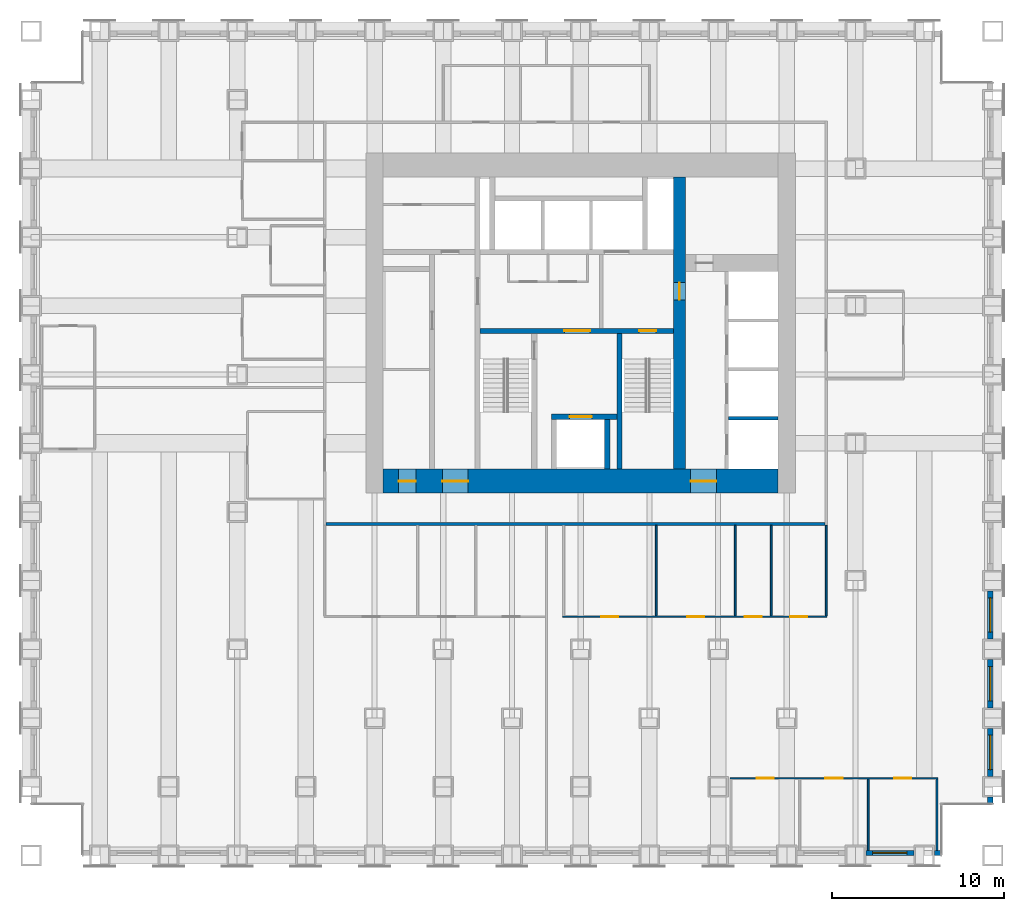
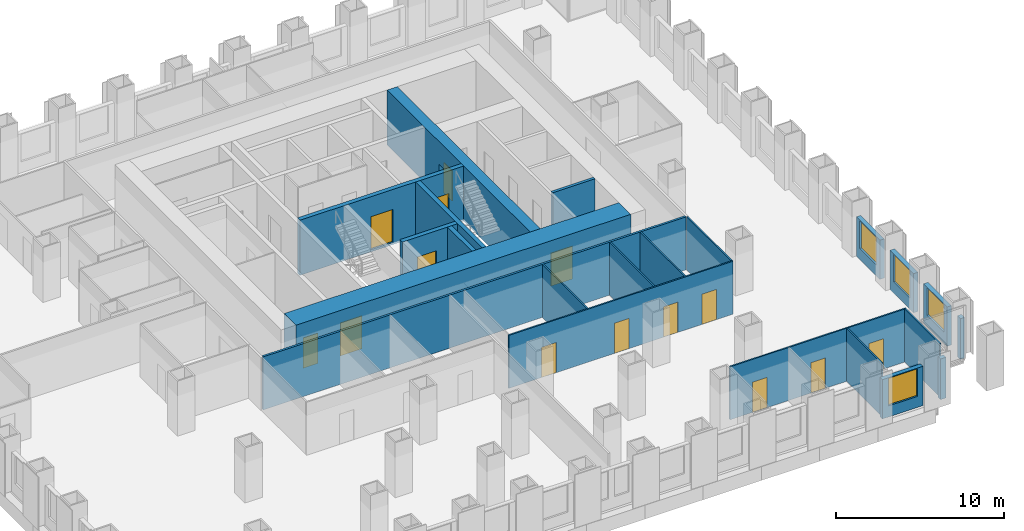
# One storey, part 10 of 15: 22 walls, 14 doors, 4 windows, 18 openings.
"""IFC4 building model written with IfcOpenShell, lengths in metres."""

from ifc_helpers import new_model, si_unit, direction, frame, frame_2d, origin, place, context, subcontext, project, spatial, rectangle, extrude, material, layer, layer_set, type_object, element, fill, save


model = new_model("IFC4")

# Units and contexts
model_context = context("Model", 3, precision=1e-05, world=origin(), true_north=direction((0.0, 1.0)))
body_context = subcontext(model_context, "Body", "Model", "MODEL_VIEW")
ifc_project = project(units=[si_unit("LENGTHUNIT", "METRE"), si_unit("AREAUNIT", "SQUARE_METRE"), si_unit("VOLUMEUNIT", "CUBIC_METRE"), si_unit("PLANEANGLEUNIT", "RADIAN"), si_unit("MASSUNIT", "GRAM", prefix="KILO")], contexts=[model_context])

# Site, building, storey
site_placement = place(None, origin())
site = spatial("IfcSite", under=ifc_project, at=site_placement, CompositionType="ELEMENT")
building_placement = place(site_placement, origin())
building = spatial("IfcBuilding", under=site, at=building_placement, Name="Rimbunsela Tower", CompositionType="ELEMENT")
storey_placement = place(building_placement, frame((0.0, 0.0, 35.0)))
storey = spatial("IfcBuildingStorey", under=building, at=storey_placement, Name="L08", CompositionType="ELEMENT", Elevation=35.0)

# Wall, openings, doors
ifc_material_1 = material(Name="Concrete fc' 80 MPa", Category="concrete")
ifc_layer_1 = layer(ifc_material_1, 0.300048828125)
ifc_layer_set_1 = layer_set([ifc_layer_1], Name="Core internal wall 300")
wall_type_1 = type_object("IfcWallType", Name="Core internal wall 300", PredefinedType="SHEAR", material=ifc_layer_set_1)
wall_1_placement = place(storey_placement, frame((24.14990234375, 26.550048828125, -0.14990234375), z_axis=(0.0, 0.0, 1.0), x_axis=(1.0, 0.0, 0.0)))
wall_1 = element("IfcWall", 1, at=wall_1_placement, inside=storey, type_object=wall_type_1, Name="Core wall lobby south", PredefinedType="SHEAR", context=body_context, shape_type="SweptSolid", body=[
    extrude(rectangle(XDim=11.25, YDim=0.300048828125, at=frame_2d((5.625, 0.0))), origin(), (0.0, 0.0, 1.0), 4.0),
])
opening_1_placement = place(wall_1_placement, frame((9.25, 0.0, 0.14990234375)))
opening_1 = element("IfcOpeningElement", 2, at=opening_1_placement, cuts=wall_1, Name="Opening D01", PredefinedType="OPENING", context=body_context, shape_type="SweptSolid", body=[
    extrude(rectangle(XDim=1.0, YDim=2.199951171875, at=frame_2d((0.5, 1.10009765625))), frame((0.0, 0.159912109375, 0.0), z_axis=(0.0, -1.0, 0.0), x_axis=(1.0, 0.0, 0.0)), (0.0, 0.0, 1.0), 0.320068359375),
])
opening_2_placement = place(wall_1_placement, frame((4.89990234375, 0.0, 0.14990234375)))
opening_2 = element("IfcOpeningElement", 3, at=opening_2_placement, cuts=wall_1, Name="Opening D03", PredefinedType="OPENING", context=body_context, shape_type="SweptSolid", body=[
    extrude(rectangle(XDim=1.5, YDim=2.39990234375, at=frame_2d((0.75, 1.199951171875))), frame((0.0, 0.159912109375, 0.0), z_axis=(0.0, -1.0, 0.0), x_axis=(1.0, 0.0, 0.0)), (0.0, 0.0, 1.0), 0.320068359375),
])
ifc_material_2 = material(Name="Steel door, fire rated", Category="steel")
door_type_1 = type_object("IfcDoorType", Name="Core lobby door 1500", OperationType="DOUBLE_DOOR_DOUBLE_SWING", PredefinedType="DOOR", material=ifc_material_2)
door_1_placement = place(opening_2_placement, origin())
door_1 = element("IfcDoor", 4, at=door_1_placement, inside=storey, type_object=door_type_1, Name="Firefighting lobby door", OperationType="DOUBLE_DOOR_DOUBLE_SWING", OverallHeight=2.39990234375, OverallWidth=1.5, PredefinedType="DOOR", context=body_context, shape_type="SweptSolid", body=[
    extrude(rectangle(XDim=1.5, YDim=2.39990234375, at=frame_2d((0.75, 1.199951171875))), frame((0.0, 0.02490234375, 0.0), z_axis=(0.0, -1.0, 0.0), x_axis=(1.0, 0.0, 0.0)), (0.0, 0.0, 1.0), 0.050048828125),
])
fill(opening_2, door_1)
ifc_material_3 = material(Name="Steel door, fire rated", Category="steel")
door_type_2 = type_object("IfcDoorType", Name="Stair door 1000", OperationType="SINGLE_SWING_RIGHT", PredefinedType="DOOR", material=ifc_material_3)
door_2_placement = place(opening_1_placement, frame((1.0, 0.0, 0.0), z_axis=(0.0, 0.0, 1.0), x_axis=(-1.0, 0.0, 0.0)))
door_2 = element("IfcDoor", 5, at=door_2_placement, inside=storey, type_object=door_type_2, Name="Stair B door", OperationType="SINGLE_SWING_RIGHT", OverallHeight=2.199951171875, OverallWidth=1.0, PredefinedType="DOOR", context=body_context, shape_type="SweptSolid", body=[
    extrude(rectangle(XDim=1.0, YDim=2.199951171875, at=frame_2d((0.5, 1.10009765625))), frame((0.0, 0.02490234375, 0.0), z_axis=(0.0, -1.0, 0.0), x_axis=(1.0, 0.0, 0.0)), (0.0, 0.0, 1.0), 0.050048828125),
])
fill(opening_1, door_2)

# Walls
wall_2_placement = place(storey_placement, frame((32.25, 18.5, -0.14990234375), z_axis=(0.0, 0.0, 1.0), x_axis=(0.0, 1.0, 0.0)))
element("IfcWall", 6, at=wall_2_placement, inside=storey, type_object=wall_type_1, Name="Stair B enclosure", PredefinedType="SHEAR", context=body_context, shape_type="SweptSolid", body=[
    extrude(rectangle(XDim=7.89990234375, YDim=0.300048828125, at=frame_2d((3.949951171875, 0.0))), origin(), (0.0, 0.0, 1.0), 4.0),
])
wall_3_placement = place(storey_placement, frame((31.550048828125, 18.5, -0.14990234375), z_axis=(0.0, 0.0, 1.0), x_axis=(0.0, 1.0, 0.0)))
element("IfcWall", 7, at=wall_3_placement, inside=storey, type_object=wall_type_1, Name="Firefighting lift shaft east", PredefinedType="SHEAR", context=body_context, shape_type="SweptSolid", body=[
    extrude(rectangle(XDim=2.89990234375, YDim=0.300048828125, at=frame_2d((1.449951171875, 0.0))), origin(), (0.0, 0.0, 1.0), 4.0),
])

# Wall, opening, door
wall_4_placement = place(storey_placement, frame((28.300048828125, 21.550048828125, -0.14990234375), z_axis=(0.0, 0.0, 1.0), x_axis=(1.0, 0.0, 0.0)))
wall_4 = element("IfcWall", 8, at=wall_4_placement, inside=storey, type_object=wall_type_1, Name="Firefighting lift shaft front", PredefinedType="SHEAR", context=body_context, shape_type="SweptSolid", body=[
    extrude(rectangle(XDim=3.800048828125, YDim=0.300048828125, at=frame_2d((1.89990234375, 0.0))), origin(), (0.0, 0.0, 1.0), 4.0),
])
opening_3_placement = place(wall_4_placement, frame((1.050048828125, 0.0, 0.14990234375)))
opening_3 = element("IfcOpeningElement", 9, at=opening_3_placement, cuts=wall_4, Name="Opening LD2", PredefinedType="OPENING", context=body_context, shape_type="SweptSolid", body=[
    extrude(rectangle(XDim=1.300048828125, YDim=2.39990234375, at=frame_2d((0.64990234375, 1.199951171875))), frame((0.0, 0.159912109375, 0.0), z_axis=(0.0, -1.0, 0.0), x_axis=(1.0, 0.0, 0.0)), (0.0, 0.0, 1.0), 0.320068359375),
])
ifc_material_4 = material(Name="Steel door, fire rated", Category="steel")
door_type_3 = type_object("IfcDoorType", Name="Lift landing door 1300", OperationType="DOUBLE_DOOR_SLIDING", PredefinedType="DOOR", material=ifc_material_4)
door_3_placement = place(opening_3_placement, origin())
door_3 = element("IfcDoor", 10, at=door_3_placement, inside=storey, type_object=door_type_3, Name="Lift landing door FL1", OperationType="DOUBLE_DOOR_SLIDING", OverallHeight=2.39990234375, OverallWidth=1.300048828125, PredefinedType="DOOR", context=body_context, shape_type="SweptSolid", body=[
    extrude(rectangle(XDim=1.300048828125, YDim=2.39990234375, at=frame_2d((0.64990234375, 1.199951171875))), frame((0.0, 0.02490234375, 0.0), z_axis=(0.0, -1.0, 0.0), x_axis=(1.0, 0.0, 0.0)), (0.0, 0.0, 1.0), 0.050048828125),
])
fill(opening_3, door_3)

# Wall, openings, doors
ifc_material_5 = material(Name="Concrete fc' 80 MPa", Category="concrete")
ifc_layer_2 = layer(ifc_material_5, 1.39990234375)
ifc_layer_set_2 = layer_set([ifc_layer_2], Name="Core wall 1400")
wall_type_2 = type_object("IfcWallType", Name="Core wall 1400", PredefinedType="SHEAR", material=ifc_layer_set_2)
wall_5_placement = place(storey_placement, frame((18.5, 17.800048828125, -0.14990234375), z_axis=(0.0, 0.0, 1.0), x_axis=(1.0, 0.0, 0.0)))
wall_5 = element("IfcWall", 11, at=wall_5_placement, inside=storey, type_object=wall_type_2, Name="Core wall south", PredefinedType="SHEAR", context=body_context, shape_type="SweptSolid", body=[
    extrude(rectangle(XDim=23.0, YDim=1.39990234375, at=frame_2d((11.5, 0.0))), origin(), (0.0, 0.0, 1.0), 4.0),
])
opening_4_placement = place(wall_5_placement, frame((3.449951171875, 0.0, 0.14990234375)))
opening_4 = element("IfcOpeningElement", 12, at=opening_4_placement, cuts=wall_5, Name="Opening D03", PredefinedType="OPENING", context=body_context, shape_type="SweptSolid", body=[
    extrude(rectangle(XDim=1.5, YDim=2.39990234375, at=frame_2d((0.75, 1.199951171875))), frame((0.0, 0.7099609375, 0.0), z_axis=(0.0, -1.0, 0.0), x_axis=(1.0, 0.0, 0.0)), (0.0, 0.0, 1.0), 1.419921875),
])
opening_5_placement = place(wall_5_placement, frame((17.89990234375, 0.0, 0.14990234375)))
opening_5 = element("IfcOpeningElement", 13, at=opening_5_placement, cuts=wall_5, Name="Opening D03", PredefinedType="OPENING", context=body_context, shape_type="SweptSolid", body=[
    extrude(rectangle(XDim=1.5, YDim=2.39990234375, at=frame_2d((0.75, 1.199951171875))), frame((0.0, 0.7099609375, 0.0), z_axis=(0.0, -1.0, 0.0), x_axis=(1.0, 0.0, 0.0)), (0.0, 0.0, 1.0), 1.419921875),
])
opening_6_placement = place(wall_5_placement, frame((0.89990234375, 0.0, 0.14990234375)))
opening_6 = element("IfcOpeningElement", 14, at=opening_6_placement, cuts=wall_5, Name="Opening D19", PredefinedType="OPENING", context=body_context, shape_type="SweptSolid", body=[
    extrude(rectangle(XDim=1.0, YDim=2.199951171875, at=frame_2d((0.5, 1.10009765625))), frame((0.0, 0.7099609375, 0.0), z_axis=(0.0, -1.0, 0.0), x_axis=(1.0, 0.0, 0.0)), (0.0, 0.0, 1.0), 1.419921875),
])
door_4_placement = place(opening_4_placement, origin())
door_4 = element("IfcDoor", 15, at=door_4_placement, inside=storey, type_object=door_type_1, Name="Core door south", OperationType="DOUBLE_DOOR_DOUBLE_SWING", OverallHeight=2.39990234375, OverallWidth=1.5, PredefinedType="DOOR", context=body_context, shape_type="SweptSolid", body=[
    extrude(rectangle(XDim=1.5, YDim=2.39990234375, at=frame_2d((0.75, 1.199951171875))), frame((0.0, 0.02490234375, 0.0), z_axis=(0.0, -1.0, 0.0), x_axis=(1.0, 0.0, 0.0)), (0.0, 0.0, 1.0), 0.050048828125),
])
fill(opening_4, door_4)
door_5_placement = place(opening_5_placement, origin())
door_5 = element("IfcDoor", 16, at=door_5_placement, inside=storey, type_object=door_type_1, Name="Core door south-east", OperationType="DOUBLE_DOOR_DOUBLE_SWING", OverallHeight=2.39990234375, OverallWidth=1.5, PredefinedType="DOOR", context=body_context, shape_type="SweptSolid", body=[
    extrude(rectangle(XDim=1.5, YDim=2.39990234375, at=frame_2d((0.75, 1.199951171875))), frame((0.0, 0.02490234375, 0.0), z_axis=(0.0, -1.0, 0.0), x_axis=(1.0, 0.0, 0.0)), (0.0, 0.0, 1.0), 0.050048828125),
])
fill(opening_5, door_5)
ifc_material_6 = material(Name="Steel door, fire rated", Category="steel")
door_type_4 = type_object("IfcDoorType", Name="Service door 1000 fire rated", OperationType="SINGLE_SWING_LEFT", PredefinedType="DOOR", material=ifc_material_6)
door_6_placement = place(opening_6_placement, origin())
door_6 = element("IfcDoor", 17, at=door_6_placement, inside=storey, type_object=door_type_4, Name="Electrical room door", OperationType="SINGLE_SWING_LEFT", OverallHeight=2.199951171875, OverallWidth=1.0, PredefinedType="DOOR", context=body_context, shape_type="SweptSolid", body=[
    extrude(rectangle(XDim=1.0, YDim=2.199951171875, at=frame_2d((0.5, 1.10009765625))), frame((0.0, 0.02490234375, 0.0), z_axis=(0.0, -1.0, 0.0), x_axis=(1.0, 0.0, 0.0)), (0.0, 0.0, 1.0), 0.050048828125),
])
fill(opening_6, door_6)

# Wall, opening, door
ifc_material_7 = material(Name="Concrete fc' 80 MPa", Category="concrete")
ifc_layer_3 = layer(ifc_material_7, 0.699951171875)
ifc_layer_set_3 = layer_set([ifc_layer_3], Name="Core wall 700 east")
wall_type_3 = type_object("IfcWallType", Name="Core wall 700 east", PredefinedType="SHEAR", material=ifc_layer_set_3)
wall_6_placement = place(storey_placement, frame((35.75, 18.5, -0.14990234375), z_axis=(0.0, 0.0, 1.0), x_axis=(0.0, 1.0, 0.0)))
wall_6 = element("IfcWall", 18, at=wall_6_placement, inside=storey, type_object=wall_type_3, Name="Core wall low-rise bank", PredefinedType="SHEAR", context=body_context, shape_type="SweptSolid", body=[
    extrude(rectangle(XDim=17.0, YDim=0.699951171875, at=frame_2d((8.5, 0.0))), origin(), (0.0, 0.0, 1.0), 4.0),
])
opening_7_placement = place(wall_6_placement, frame((9.85009765625, 0.0, 0.14990234375)))
opening_7 = element("IfcOpeningElement", 19, at=opening_7_placement, cuts=wall_6, Name="Opening D01", PredefinedType="OPENING", context=body_context, shape_type="SweptSolid", body=[
    extrude(rectangle(XDim=1.0, YDim=2.199951171875, at=frame_2d((0.5, 1.10009765625))), frame((0.0, 0.35986328125, 0.0), z_axis=(0.0, -1.0, 0.0), x_axis=(1.0, 0.0, 0.0)), (0.0, 0.0, 1.0), 0.719970703125),
])
door_7_placement = place(opening_7_placement, origin())
door_7 = element("IfcDoor", 20, at=door_7_placement, inside=storey, type_object=door_type_2, Name="Firefighting lobby 2 door", OperationType="SINGLE_SWING_RIGHT", OverallHeight=2.199951171875, OverallWidth=1.0, PredefinedType="DOOR", context=body_context, shape_type="SweptSolid", body=[
    extrude(rectangle(XDim=1.0, YDim=2.199951171875, at=frame_2d((0.5, 1.10009765625))), frame((0.0, 0.02490234375, 0.0), z_axis=(0.0, -1.0, 0.0), x_axis=(1.0, 0.0, 0.0)), (0.0, 0.0, 1.0), 0.050048828125),
])
fill(opening_7, door_7)

# Wall
ifc_material_8 = material(Name="Concrete blockwork", Category="masonry")
ifc_layer_4 = layer(ifc_material_8, 0.199951171875)
ifc_layer_set_4 = layer_set([ifc_layer_4], Name="Lift shaft wall 200")
wall_type_4 = type_object("IfcWallType", Name="Lift shaft wall 200", PredefinedType="SOLIDWALL", material=ifc_layer_set_4)
wall_7_placement = place(storey_placement, frame((38.60009765625, 21.449951171875, -0.14990234375), z_axis=(0.0, 0.0, 1.0), x_axis=(1.0, 0.0, 0.0)))
element("IfcWall", 21, at=wall_7_placement, inside=storey, type_object=wall_type_4, Name="Lift shaft separation", PredefinedType="SOLIDWALL", context=body_context, shape_type="SweptSolid", body=[
    extrude(rectangle(XDim=2.89990234375, YDim=0.199951171875, at=frame_2d((1.449951171875, 0.0))), origin(), (0.0, 0.0, 1.0), 4.0),
])

# Wall, openings, doors
ifc_material_9 = material(Name="Gypsum board on steel studs", Category="steel")
ifc_layer_5 = layer(ifc_material_9, 0.10009765625)
ifc_layer_set_5 = layer_set([ifc_layer_5], Name="Office partition 100")
wall_type_5 = type_object("IfcWallType", Name="Office partition 100", PredefinedType="PARTITIONING", material=ifc_layer_set_5)
wall_8_placement = place(storey_placement, frame((38.699951171875, 0.5, 0.0), z_axis=(0.0, 0.0, 1.0), x_axis=(1.0, 0.0, 0.0)))
wall_8 = element("IfcWall", 22, at=wall_8_placement, inside=storey, type_object=wall_type_5, Name="Office partition", PredefinedType="PARTITIONING", context=body_context, shape_type="SweptSolid", body=[
    extrude(rectangle(XDim=12.10009765625, YDim=0.10009765625, at=frame_2d((6.050048828125, 0.0))), origin(), (0.0, 0.0, 1.0), 3.85009765625),
])
opening_8_placement = place(wall_8_placement, frame((1.550048828125, 0.0, 0.0)))
opening_8 = element("IfcOpeningElement", 23, at=opening_8_placement, cuts=wall_8, Name="Opening D16", PredefinedType="OPENING", context=body_context, shape_type="SweptSolid", body=[
    extrude(rectangle(XDim=1.0, YDim=2.199951171875, at=frame_2d((0.5, 1.10009765625))), frame((0.0, 0.06005859375, 0.0), z_axis=(0.0, -1.0, 0.0), x_axis=(1.0, 0.0, 0.0)), (0.0, 0.0, 1.0), 0.1201171875),
])
opening_9_placement = place(wall_8_placement, frame((5.550048828125, 0.0, 0.0)))
opening_9 = element("IfcOpeningElement", 24, at=opening_9_placement, cuts=wall_8, Name="Opening D16", PredefinedType="OPENING", context=body_context, shape_type="SweptSolid", body=[
    extrude(rectangle(XDim=1.0, YDim=2.199951171875, at=frame_2d((0.5, 1.10009765625))), frame((0.0, 0.06005859375, 0.0), z_axis=(0.0, -1.0, 0.0), x_axis=(1.0, 0.0, 0.0)), (0.0, 0.0, 1.0), 0.1201171875),
])
opening_10_placement = place(wall_8_placement, frame((9.550048828125, 0.0, 0.0)))
opening_10 = element("IfcOpeningElement", 25, at=opening_10_placement, cuts=wall_8, Name="Opening D16", PredefinedType="OPENING", context=body_context, shape_type="SweptSolid", body=[
    extrude(rectangle(XDim=1.0, YDim=2.199951171875, at=frame_2d((0.5, 1.10009765625))), frame((0.0, 0.06005859375, 0.0), z_axis=(0.0, -1.0, 0.0), x_axis=(1.0, 0.0, 0.0)), (0.0, 0.0, 1.0), 0.1201171875),
])
ifc_material_10 = material(Name="Timber door", Category="wood")
door_type_5 = type_object("IfcDoorType", Name="Office door 1000", OperationType="SINGLE_SWING_LEFT", PredefinedType="DOOR", material=ifc_material_10)
door_8_placement = place(opening_8_placement, origin())
door_8 = element("IfcDoor", 26, at=door_8_placement, inside=storey, type_object=door_type_5, Name="Office door", OperationType="SINGLE_SWING_LEFT", OverallHeight=2.199951171875, OverallWidth=1.0, PredefinedType="DOOR", context=body_context, shape_type="SweptSolid", body=[
    extrude(rectangle(XDim=1.0, YDim=2.199951171875, at=frame_2d((0.5, 1.10009765625))), frame((0.0, 0.02490234375, 0.0), z_axis=(0.0, -1.0, 0.0), x_axis=(1.0, 0.0, 0.0)), (0.0, 0.0, 1.0), 0.050048828125),
])
fill(opening_8, door_8)
door_9_placement = place(opening_9_placement, origin())
door_9 = element("IfcDoor", 27, at=door_9_placement, inside=storey, type_object=door_type_5, Name="Office door", OperationType="SINGLE_SWING_LEFT", OverallHeight=2.199951171875, OverallWidth=1.0, PredefinedType="DOOR", context=body_context, shape_type="SweptSolid", body=[
    extrude(rectangle(XDim=1.0, YDim=2.199951171875, at=frame_2d((0.5, 1.10009765625))), frame((0.0, 0.02490234375, 0.0), z_axis=(0.0, -1.0, 0.0), x_axis=(1.0, 0.0, 0.0)), (0.0, 0.0, 1.0), 0.050048828125),
])
fill(opening_9, door_9)
door_10_placement = place(opening_10_placement, origin())
door_10 = element("IfcDoor", 28, at=door_10_placement, inside=storey, type_object=door_type_5, Name="Office door", OperationType="SINGLE_SWING_LEFT", OverallHeight=2.199951171875, OverallWidth=1.0, PredefinedType="DOOR", context=body_context, shape_type="SweptSolid", body=[
    extrude(rectangle(XDim=1.0, YDim=2.199951171875, at=frame_2d((0.5, 1.10009765625))), frame((0.0, 0.02490234375, 0.0), z_axis=(0.0, -1.0, 0.0), x_axis=(1.0, 0.0, 0.0)), (0.0, 0.0, 1.0), 0.050048828125),
])
fill(opening_10, door_10)

wall_9_placement = place(storey_placement, frame((28.948974609375, 9.89990234375, 0.0), z_axis=(0.0, 0.0, 1.0), x_axis=(1.0, 0.0, 0.0)))
wall_9 = element("IfcWall", 29, at=wall_9_placement, inside=storey, type_object=wall_type_5, Name="Office partition", PredefinedType="PARTITIONING", context=body_context, shape_type="SweptSolid", body=[
    extrude(rectangle(XDim=15.401123046875, YDim=0.10009765625, at=frame_2d((7.70068359375, 0.0))), origin(), (0.0, 0.0, 1.0), 3.85009765625),
])
opening_11_placement = place(wall_9_placement, frame((2.25, 0.0, 0.0)))
opening_11 = element("IfcOpeningElement", 30, at=opening_11_placement, cuts=wall_9, Name="Opening D17", PredefinedType="OPENING", context=body_context, shape_type="SweptSolid", body=[
    extrude(rectangle(XDim=1.0, YDim=2.199951171875, at=frame_2d((0.5, 1.10009765625))), frame((0.0, 0.06005859375, 0.0), z_axis=(0.0, -1.0, 0.0), x_axis=(1.0, 0.0, 0.0)), (0.0, 0.0, 1.0), 0.1201171875),
])
opening_12_placement = place(wall_9_placement, frame((7.25, 0.0, 0.0)))
opening_12 = element("IfcOpeningElement", 31, at=opening_12_placement, cuts=wall_9, Name="Opening D16", PredefinedType="OPENING", context=body_context, shape_type="SweptSolid", body=[
    extrude(rectangle(XDim=1.0, YDim=2.199951171875, at=frame_2d((0.5, 1.10009765625))), frame((0.0, 0.06005859375, 0.0), z_axis=(0.0, -1.0, 0.0), x_axis=(1.0, 0.0, 0.0)), (0.0, 0.0, 1.0), 0.1201171875),
])
opening_13_placement = place(wall_9_placement, frame((10.60009765625, 0.0, 0.0)))
opening_13 = element("IfcOpeningElement", 32, at=opening_13_placement, cuts=wall_9, Name="Opening D16", PredefinedType="OPENING", context=body_context, shape_type="SweptSolid", body=[
    extrude(rectangle(XDim=1.0, YDim=2.199951171875, at=frame_2d((0.5, 1.10009765625))), frame((0.0, 0.06005859375, 0.0), z_axis=(0.0, -1.0, 0.0), x_axis=(1.0, 0.0, 0.0)), (0.0, 0.0, 1.0), 0.1201171875),
])
opening_14_placement = place(wall_9_placement, frame((13.25048828125, 0.0, 0.0)))
opening_14 = element("IfcOpeningElement", 33, at=opening_14_placement, cuts=wall_9, Name="Opening D16", PredefinedType="OPENING", context=body_context, shape_type="SweptSolid", body=[
    extrude(rectangle(XDim=1.0, YDim=2.199951171875, at=frame_2d((0.5, 1.10009765625))), frame((0.0, 0.06005859375, 0.0), z_axis=(0.0, -1.0, 0.0), x_axis=(1.0, 0.0, 0.0)), (0.0, 0.0, 1.0), 0.1201171875),
])
ifc_material_11 = material(Name="Glazed aluminium door", Category="aluminium")
door_type_6 = type_object("IfcDoorType", Name="Meeting room door 1000 glazed", OperationType="SINGLE_SWING_RIGHT", PredefinedType="DOOR", material=ifc_material_11)
door_11_placement = place(opening_11_placement, origin())
door_11 = element("IfcDoor", 34, at=door_11_placement, inside=storey, type_object=door_type_6, Name="Meeting room door", OperationType="SINGLE_SWING_RIGHT", OverallHeight=2.199951171875, OverallWidth=1.0, PredefinedType="DOOR", context=body_context, shape_type="SweptSolid", body=[
    extrude(rectangle(XDim=1.0, YDim=2.199951171875, at=frame_2d((0.5, 1.10009765625))), frame((0.0, 0.02490234375, 0.0), z_axis=(0.0, -1.0, 0.0), x_axis=(1.0, 0.0, 0.0)), (0.0, 0.0, 1.0), 0.050048828125),
])
fill(opening_11, door_11)
door_12_placement = place(opening_12_placement, origin())
door_12 = element("IfcDoor", 35, at=door_12_placement, inside=storey, type_object=door_type_5, Name="Office door", OperationType="SINGLE_SWING_LEFT", OverallHeight=2.199951171875, OverallWidth=1.0, PredefinedType="DOOR", context=body_context, shape_type="SweptSolid", body=[
    extrude(rectangle(XDim=1.0, YDim=2.199951171875, at=frame_2d((0.5, 1.10009765625))), frame((0.0, 0.02490234375, 0.0), z_axis=(0.0, -1.0, 0.0), x_axis=(1.0, 0.0, 0.0)), (0.0, 0.0, 1.0), 0.050048828125),
])
fill(opening_12, door_12)
door_13_placement = place(opening_13_placement, origin())
door_13 = element("IfcDoor", 36, at=door_13_placement, inside=storey, type_object=door_type_5, Name="Office door", OperationType="SINGLE_SWING_LEFT", OverallHeight=2.199951171875, OverallWidth=1.0, PredefinedType="DOOR", context=body_context, shape_type="SweptSolid", body=[
    extrude(rectangle(XDim=1.0, YDim=2.199951171875, at=frame_2d((0.5, 1.10009765625))), frame((0.0, 0.02490234375, 0.0), z_axis=(0.0, -1.0, 0.0), x_axis=(1.0, 0.0, 0.0)), (0.0, 0.0, 1.0), 0.050048828125),
])
fill(opening_13, door_13)
door_14_placement = place(opening_14_placement, origin())
door_14 = element("IfcDoor", 37, at=door_14_placement, inside=storey, type_object=door_type_5, Name="Office door", OperationType="SINGLE_SWING_LEFT", OverallHeight=2.199951171875, OverallWidth=1.0, PredefinedType="DOOR", context=body_context, shape_type="SweptSolid", body=[
    extrude(rectangle(XDim=1.0, YDim=2.199951171875, at=frame_2d((0.5, 1.10009765625))), frame((0.0, 0.02490234375, 0.0), z_axis=(0.0, -1.0, 0.0), x_axis=(1.0, 0.0, 0.0)), (0.0, 0.0, 1.0), 0.050048828125),
])
fill(opening_14, door_14)

# Walls
for number, where, z_axis, x_axis, name in (
    (38, (34.39892578125, 9.949951171875, 0.0), (0.0, 0.0, 1.0), (0.0, 1.0, 0.0), "Office partition"),
    (39, (38.9990234375, 9.949951171875, 0.0), (0.0, 0.0, 1.0), (0.0, 1.0, 0.0), "Office partition"),
    (40, (41.09912109375, 9.949951171875, 0.0), (0.0, 0.0, 1.0), (0.0, 1.0, 0.0), "Office partition"),
    (41, (44.300048828125, 9.949951171875, 0.0), (0.0, 0.0, 1.0), (0.0, 1.0, 0.0), "Office partition"),
):
    element("IfcWall", number, at=place(storey_placement, frame(where, z_axis=z_axis, x_axis=x_axis)), inside=storey, type_object=wall_type_5, Name=name, PredefinedType="PARTITIONING", context=body_context, shape_type="SweptSolid", body=[
        extrude(rectangle(XDim=5.275146484375, YDim=0.10009765625, at=frame_2d((2.6376953125, 0.0))), origin(), (0.0, 0.0, 1.0), 3.85009765625),
    ])
for number, where, z_axis, x_axis, name in (
    (42, (46.75, -3.699951171875, 0.0), (0.0, 0.0, 1.0), (0.0, 1.0, 0.0), "Office partition"),
    (43, (50.75, -3.699951171875, 0.0), (0.0, 0.0, 1.0), (0.0, 1.0, 0.0), "Office partition"),
):
    element("IfcWall", number, at=place(storey_placement, frame(where, z_axis=z_axis, x_axis=x_axis)), inside=storey, type_object=wall_type_5, Name=name, PredefinedType="PARTITIONING", context=body_context, shape_type="SweptSolid", body=[
        extrude(rectangle(XDim=4.14990234375, YDim=0.10009765625, at=frame_2d((2.074951171875, 0.0))), origin(), (0.0, 0.0, 1.0), 3.85009765625),
    ])

# Wall, opening, window
ifc_material_12 = material(Name="Precast concrete fc' 35 MPa", Category="concrete")
ifc_layer_6 = layer(ifc_material_12, 0.300048828125)
ifc_layer_set_6 = layer_set([ifc_layer_6], Name="Precast concrete fc' 35 MPa")
wall_type_6 = type_object("IfcWallType", Name="Precast facade panel 300", PredefinedType="ELEMENTEDWALL", material=ifc_layer_set_6)
wall_10_placement = place(storey_placement, frame((46.60009765625, -3.85009765625, 0.0), z_axis=(0.0, 0.0, 1.0), x_axis=(1.0, 0.0, 0.0)))
wall_10 = element("IfcWall", 44, at=wall_10_placement, inside=storey, type_object=wall_type_6, Name="Facade panel S L08", PredefinedType="ELEMENTEDWALL", context=body_context, shape_type="SweptSolid", body=[
    extrude(rectangle(XDim=2.7998046875, YDim=0.300048828125, at=frame_2d((1.39990234375, 0.0))), origin(), (0.0, 0.0, 1.0), 2.85009765625),
])
opening_15_placement = place(wall_10_placement, frame((0.39990234375, 0.0, 0.800048828125)))
opening_15 = element("IfcOpeningElement", 45, at=opening_15_placement, cuts=wall_10, Name="Opening W1", PredefinedType="OPENING", context=body_context, shape_type="SweptSolid", body=[
    extrude(rectangle(XDim=2.0, YDim=2.0, at=frame_2d((1.0, 1.0))), frame((0.0, 0.159912109375, 0.0), z_axis=(0.0, -1.0, 0.0), x_axis=(1.0, 0.0, 0.0)), (0.0, 0.0, 1.0), 0.320068359375),
])
ifc_material_13 = material(Name="Clear glass in aluminium frame", Category="aluminium")
window_type = type_object("IfcWindowType", Name="Window W1 2000x2000", PartitioningType="DOUBLE_PANEL_VERTICAL", PredefinedType="WINDOW", material=ifc_material_13)
window_1_placement = place(opening_15_placement, origin())
window_1 = element("IfcWindow", 46, at=window_1_placement, inside=storey, type_object=window_type, Name="Window L08", OverallHeight=2.0, OverallWidth=2.0, PartitioningType="SINGLE_PANEL", PredefinedType="WINDOW", context=body_context, shape_type="SweptSolid", body=[
    extrude(rectangle(XDim=2.0, YDim=2.0, at=frame_2d((1.0, 1.0))), frame((0.0, 0.030029296875, 0.0), z_axis=(0.0, -1.0, 0.0), x_axis=(1.0, 0.0, 0.0)), (0.0, 0.0, 1.0), 0.06005859375),
])
fill(opening_15, window_1)

# Walls
for number, where, z_axis, x_axis, name in (
    (47, (50.60009765625, -3.85009765625, 0.0), (0.0, 0.0, 1.0), (1.0, 0.0, 0.0), "Facade panel S L08"),
    (48, (53.85009765625, -0.969970703125, 0.0), (0.0, 0.0, 1.0), (0.0, 1.0, 0.0), "Facade panel E L08"),
):
    element("IfcWall", number, at=place(storey_placement, frame(where, z_axis=z_axis, x_axis=x_axis)), inside=storey, type_object=wall_type_6, Name=name, PredefinedType="ELEMENTEDWALL", context=body_context, shape_type="SweptSolid", body=[
        extrude(rectangle(XDim=0.369873046875, YDim=0.300048828125, at=frame_2d((0.18505859375, 0.0))), origin(), (0.0, 0.0, 1.0), 2.949951171875),
    ])

# Wall, opening, window
wall_11_placement = place(storey_placement, frame((53.85009765625, 0.60009765625, 0.0), z_axis=(0.0, 0.0, 1.0), x_axis=(0.0, 1.0, 0.0)))
wall_11 = element("IfcWall", 49, at=wall_11_placement, inside=storey, type_object=wall_type_6, Name="Facade panel E L08", PredefinedType="ELEMENTEDWALL", context=body_context, shape_type="SweptSolid", body=[
    extrude(rectangle(XDim=2.7998046875, YDim=0.300048828125, at=frame_2d((1.39990234375, 0.0))), origin(), (0.0, 0.0, 1.0), 2.85009765625),
])
opening_16_placement = place(wall_11_placement, frame((0.39990234375, 0.0, 0.800048828125)))
opening_16 = element("IfcOpeningElement", 50, at=opening_16_placement, cuts=wall_11, Name="Opening W1", PredefinedType="OPENING", context=body_context, shape_type="SweptSolid", body=[
    extrude(rectangle(XDim=2.0, YDim=2.0, at=frame_2d((1.0, 1.0))), frame((0.0, 0.159912109375, 0.0), z_axis=(0.0, -1.0, 0.0), x_axis=(1.0, 0.0, 0.0)), (0.0, 0.0, 1.0), 0.320068359375),
])
window_2_placement = place(opening_16_placement, origin())
window_2 = element("IfcWindow", 51, at=window_2_placement, inside=storey, type_object=window_type, Name="Window L08", OverallHeight=2.0, OverallWidth=2.0, PartitioningType="SINGLE_PANEL", PredefinedType="WINDOW", context=body_context, shape_type="SweptSolid", body=[
    extrude(rectangle(XDim=2.0, YDim=2.0, at=frame_2d((1.0, 1.0))), frame((0.0, 0.030029296875, 0.0), z_axis=(0.0, -1.0, 0.0), x_axis=(1.0, 0.0, 0.0)), (0.0, 0.0, 1.0), 0.06005859375),
])
fill(opening_16, window_2)

wall_12_placement = place(storey_placement, frame((53.85009765625, 4.60009765625, 0.0), z_axis=(0.0, 0.0, 1.0), x_axis=(0.0, 1.0, 0.0)))
wall_12 = element("IfcWall", 52, at=wall_12_placement, inside=storey, type_object=wall_type_6, Name="Facade panel E L08", PredefinedType="ELEMENTEDWALL", context=body_context, shape_type="SweptSolid", body=[
    extrude(rectangle(XDim=2.7998046875, YDim=0.300048828125, at=frame_2d((1.39990234375, 0.0))), origin(), (0.0, 0.0, 1.0), 2.85009765625),
])
opening_17_placement = place(wall_12_placement, frame((0.39990234375, 0.0, 0.800048828125)))
opening_17 = element("IfcOpeningElement", 53, at=opening_17_placement, cuts=wall_12, Name="Opening W1", PredefinedType="OPENING", context=body_context, shape_type="SweptSolid", body=[
    extrude(rectangle(XDim=2.0, YDim=2.0, at=frame_2d((1.0, 1.0))), frame((0.0, 0.159912109375, 0.0), z_axis=(0.0, -1.0, 0.0), x_axis=(1.0, 0.0, 0.0)), (0.0, 0.0, 1.0), 0.320068359375),
])
window_3_placement = place(opening_17_placement, origin())
window_3 = element("IfcWindow", 54, at=window_3_placement, inside=storey, type_object=window_type, Name="Window L08", OverallHeight=2.0, OverallWidth=2.0, PartitioningType="SINGLE_PANEL", PredefinedType="WINDOW", context=body_context, shape_type="SweptSolid", body=[
    extrude(rectangle(XDim=2.0, YDim=2.0, at=frame_2d((1.0, 1.0))), frame((0.0, 0.030029296875, 0.0), z_axis=(0.0, -1.0, 0.0), x_axis=(1.0, 0.0, 0.0)), (0.0, 0.0, 1.0), 0.06005859375),
])
fill(opening_17, window_3)

wall_13_placement = place(storey_placement, frame((53.85009765625, 8.60009765625, 0.0), z_axis=(0.0, 0.0, 1.0), x_axis=(0.0, 1.0, 0.0)))
wall_13 = element("IfcWall", 55, at=wall_13_placement, inside=storey, type_object=wall_type_6, Name="Facade panel E L08", PredefinedType="ELEMENTEDWALL", context=body_context, shape_type="SweptSolid", body=[
    extrude(rectangle(XDim=2.7998046875, YDim=0.300048828125, at=frame_2d((1.39990234375, 0.0))), origin(), (0.0, 0.0, 1.0), 2.85009765625),
])
opening_18_placement = place(wall_13_placement, frame((0.39990234375, 0.0, 0.800048828125)))
opening_18 = element("IfcOpeningElement", 56, at=opening_18_placement, cuts=wall_13, Name="Opening W1", PredefinedType="OPENING", context=body_context, shape_type="SweptSolid", body=[
    extrude(rectangle(XDim=2.0, YDim=2.0, at=frame_2d((1.0, 1.0))), frame((0.0, 0.159912109375, 0.0), z_axis=(0.0, -1.0, 0.0), x_axis=(1.0, 0.0, 0.0)), (0.0, 0.0, 1.0), 0.320068359375),
])
window_4_placement = place(opening_18_placement, origin())
window_4 = element("IfcWindow", 57, at=window_4_placement, inside=storey, type_object=window_type, Name="Window L08", OverallHeight=2.0, OverallWidth=2.0, PartitioningType="SINGLE_PANEL", PredefinedType="WINDOW", context=body_context, shape_type="SweptSolid", body=[
    extrude(rectangle(XDim=2.0, YDim=2.0, at=frame_2d((1.0, 1.0))), frame((0.0, 0.030029296875, 0.0), z_axis=(0.0, -1.0, 0.0), x_axis=(1.0, 0.0, 0.0)), (0.0, 0.0, 1.0), 0.06005859375),
])
fill(opening_18, window_4)

# Wall
ifc_material_14 = material(Name="Fire-rated gypsum board on steel studs, EI 60", Category="steel")
ifc_layer_7 = layer(ifc_material_14, 0.14990234375)
ifc_layer_set_7 = layer_set([ifc_layer_7], Name="Rated corridor wall 150")
wall_type_7 = type_object("IfcWallType", Name="Rated corridor wall 150", PredefinedType="PARTITIONING", material=ifc_layer_set_7)
wall_14_placement = place(storey_placement, frame((15.175048828125, 15.300048828125, 0.0), z_axis=(0.0, 0.0, 1.0), x_axis=(1.0, 0.0, 0.0)))
element("IfcWall", 58, at=wall_14_placement, inside=storey, type_object=wall_type_7, Name="Corridor wall south", PredefinedType="PARTITIONING", context=body_context, shape_type="SweptSolid", body=[
    extrude(rectangle(XDim=29.050048828125, YDim=0.14990234375, at=frame_2d((14.52490234375, 0.0))), origin(), (0.0, 0.0, 1.0), 3.85009765625),
])

save(model, "model.ifc")
